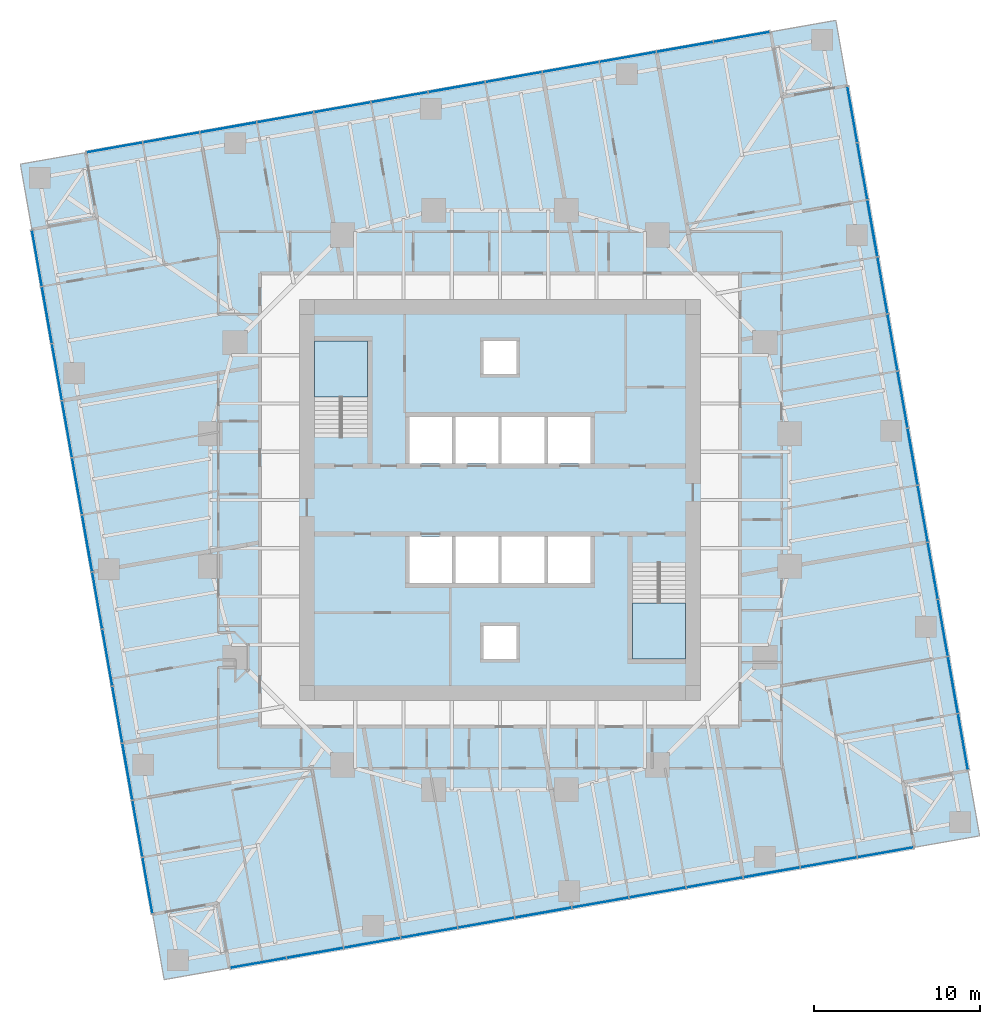
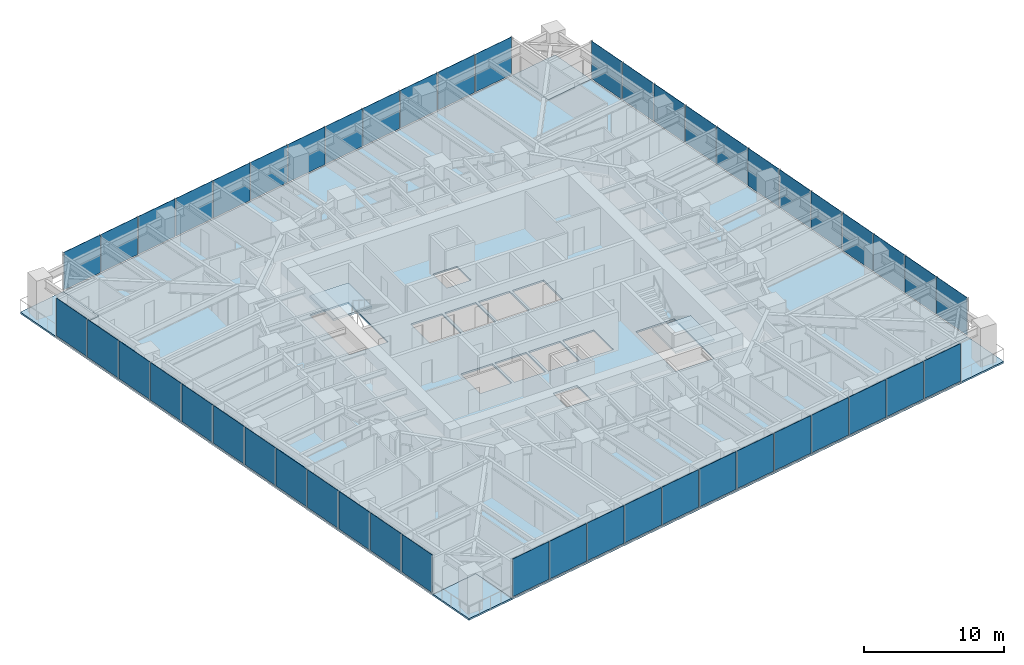
# One storey, part 7 of 14: 48 plates, 7 slabs, 6 elements without a shape of their own.
"""IFC4 building model written with IfcOpenShell, lengths in metres."""

import ifcopenshell
import ifcopenshell.guid

model = None  # the IFC model being written
_history = None  # IfcOwnerHistory: only IFC2X3 demands one
_inside = {}  # id of a spatial element -> (the spatial element, [elements in it])
_under = {}  # id of a project, library or spatial element -> (it, [spatial elements below it])
_declared = {}  # id of a project -> (the project, [libraries it declares])
_typed = {}  # id of a type object -> (the type object, [elements of that type])
_made_of = {}  # id of a material, layer set ... -> (it, [elements and type objects made of it])


def new_model(schema):
    """Start an empty IFC model of exactly this schema.

    Asked for "IFC4X3", IfcOpenShell would pick the latest addendum, in which some entities
    have other attributes; the version numbers below select the first issue.
    IFC2X3 requires an IfcOwnerHistory on every rooted entity: one is made here for all.
    """
    global model, _history
    if schema == "IFC4X3":
        model = ifcopenshell.file(schema_version=(4, 3, 0, 0))
    else:
        model = ifcopenshell.file(schema=schema)
    _inside.clear()
    _under.clear()
    _declared.clear()
    _typed.clear()
    _made_of.clear()
    _history = None
    if model.schema == "IFC2X3":
        org = make("IfcOrganization", Name="unknown")
        user = make(
            "IfcPersonAndOrganization",
            ThePerson=make("IfcPerson", FamilyName="unknown"),
            TheOrganization=org,
        )
        app = make(
            "IfcApplication",
            ApplicationDeveloper=org,
            Version="unknown",
            ApplicationFullName="unknown",
            ApplicationIdentifier="unknown",
        )
        _history = make(
            "IfcOwnerHistory",
            OwningUser=user,
            OwningApplication=app,
            ChangeAction="ADDED",
            CreationDate=0,
        )
    return model


def make(cls, **values):
    """One entity of the class cls with the attributes given. An attribute that is None is left unset."""
    return model.create_entity(
        cls, **{name: value for name, value in values.items() if value is not None}
    )


def rooted(cls, **values):
    """An entity with a GlobalId (a new one), such as an element, a storey or a relation."""
    return make(cls, GlobalId=ifcopenshell.guid.new(), OwnerHistory=_history, **values)


def si_unit(unit_type, name, prefix=None):
    """IfcSIUnit, for example si_unit("LENGTHUNIT", "METRE", prefix="MILLI")."""
    return make("IfcSIUnit", UnitType=unit_type, Prefix=prefix, Name=name)


def assignment(units):
    """IfcUnitAssignment: the units of a project."""
    return None if units is None else make("IfcUnitAssignment", Units=units)


def point(xyz):
    """IfcCartesianPoint."""
    return None if xyz is None else make("IfcCartesianPoint", Coordinates=xyz)


def direction(xyz):
    """IfcDirection."""
    return None if xyz is None else make("IfcDirection", DirectionRatios=xyz)


def frame(location, z_axis=None, x_axis=None):
    """IfcAxis2Placement3D, a coordinate frame: its origin and axes. An axis left out is left unset."""
    return make(
        "IfcAxis2Placement3D",
        Location=point(location),
        Axis=direction(z_axis),
        RefDirection=direction(x_axis),
    )


def frame_2d(location, x_axis=None):
    """IfcAxis2Placement2D, a coordinate frame in the plane: its origin and x axis."""
    return make(
        "IfcAxis2Placement2D", Location=point(location), RefDirection=direction(x_axis)
    )


def origin():
    """The frame at (0, 0, 0) with its axes left unset."""
    return frame((0.0, 0.0, 0.0))


def origin_2d():
    """The frame at (0, 0) in the plane with its x axis left unset."""
    return frame_2d((0.0, 0.0))


def place(relative_to, where):
    """IfcLocalPlacement: puts the frame where relative to a parent placement (None: the world)."""
    return make(
        "IfcLocalPlacement", PlacementRelTo=relative_to, RelativePlacement=where
    )


def context(
    kind, dimensions, precision=None, world=None, true_north=None, identifier=None
):
    """IfcGeometricRepresentationContext, for example the 3D "Model" context."""
    return make(
        "IfcGeometricRepresentationContext",
        ContextIdentifier=identifier,
        ContextType=kind,
        CoordinateSpaceDimension=dimensions,
        Precision=precision,
        WorldCoordinateSystem=world,
        TrueNorth=true_north,
    )


def subcontext(parent, identifier, kind, view, scale=None):
    """IfcGeometricRepresentationSubContext, for example "Body" below "Model"."""
    return make(
        "IfcGeometricRepresentationSubContext",
        ContextIdentifier=identifier,
        ContextType=kind,
        ParentContext=parent,
        TargetScale=scale,
        TargetView=view,
    )


def project(units=None, contexts=None):
    """IfcProject with its units and contexts."""
    return rooted(
        "IfcProject",
        Name="project",
        RepresentationContexts=contexts,
        UnitsInContext=assignment(units),
    )


def spatial(cls, under=None, at=None, **own):
    """A site, building, storey or space (cls), placed at a placement, below another one or the project."""
    s = rooted(cls, ObjectPlacement=at, **own)
    if under is not None:
        _under.setdefault(under.id(), (under, []))[1].append(s)
    return s


def polyline(points):
    """IfcPolyline through the points."""
    return make("IfcPolyline", Points=[point(p) for p in points])


def profile(cls, at=None, kind="AREA", **sizes):
    """A parametric profile (cls). Its sizes go by their IFC names, for example OverallWidth=200.0."""
    return make(cls, ProfileType=kind, Position=at, **sizes)


def rectangle(**sizes):
    """IfcRectangleProfileDef."""
    return profile("IfcRectangleProfileDef", **sizes)


def outline(outer, holes=None, kind="AREA"):
    """IfcArbitraryClosedProfileDef: a profile drawn as a closed curve; with holes, ...WithVoids."""
    if holes is None:
        return make("IfcArbitraryClosedProfileDef", ProfileType=kind, OuterCurve=outer)
    return make(
        "IfcArbitraryProfileDefWithVoids",
        ProfileType=kind,
        OuterCurve=outer,
        InnerCurves=holes,
    )


def extrude(swept, where, along, depth):
    """IfcExtrudedAreaSolid: the profile swept, set in the frame where, extruded along a direction by depth."""
    return make(
        "IfcExtrudedAreaSolid",
        SweptArea=swept,
        Position=where,
        ExtrudedDirection=direction(along),
        Depth=depth,
    )


def shape(context_of_items, identifier, shape_type, items):
    """IfcShapeRepresentation: the items that make up one representation, for example the "Body"."""
    return make(
        "IfcShapeRepresentation",
        ContextOfItems=context_of_items,
        RepresentationIdentifier=identifier,
        RepresentationType=shape_type,
        Items=items,
    )


def material(Name=None, Category=None):
    """IfcMaterial."""
    return make("IfcMaterial", Name=Name, Category=Category)


def layer(
    of_material, thickness, ventilated=None, Name=None, Category=None, Priority=None
):
    """IfcMaterialLayer: one layer of a wall or slab, of a material (None: an air gap)."""
    return make(
        "IfcMaterialLayer",
        Material=of_material,
        LayerThickness=thickness,
        IsVentilated=ventilated,
        Name=Name,
        Category=Category,
        Priority=Priority,
    )


def layer_set(layers, Name=None):
    """IfcMaterialLayerSet."""
    return make("IfcMaterialLayerSet", MaterialLayers=layers, LayerSetName=Name)


def made_of(thing, what):
    """Note that an element or type object is made of a material, layer set ...; save() writes the relation."""
    if what is not None:
        _made_of.setdefault(what.id(), (what, []))[1].append(thing)
    return thing


def type_object(cls, material=None, **own):
    """A type object (cls), such as IfcWallType, which elements share."""
    return made_of(rooted(cls, **own), material)


def element(
    cls,
    number,
    at=None,
    inside=None,
    cuts=None,
    type_object=None,
    material=None,
    context=None,
    identifier="Body",
    shape_type=None,
    held_by="IfcProductDefinitionShape",
    body=None,
    shapes=None,
    **own,
):
    """One element of the class cls, such as IfcWall. Its Tag is "e" and its number.

    at: its placement. inside: the storey or other place that contains it. cuts: it is an
    opening in that element (IfcRelVoidsElement). A single representation is given by context,
    identifier, shape_type and body (its items); several are given by shapes. held_by: the class
    of the entity that holds the representations. save() writes the other relations.
    """
    e = rooted(cls, Tag="e%d" % number, ObjectPlacement=at, **own)
    if body is not None:
        shapes = [shape(context, identifier, shape_type, body)]
    if shapes is not None:
        e.Representation = make(held_by, Representations=shapes)
    if inside is not None:
        _inside.setdefault(inside.id(), (inside, []))[1].append(e)
    if cuts is not None:
        rooted(
            "IfcRelVoidsElement", RelatingBuildingElement=cuts, RelatedOpeningElement=e
        )
    if type_object is not None:
        _typed.setdefault(type_object.id(), (type_object, []))[1].append(e)
    return made_of(e, material)


def aggregate(whole, parts):
    """IfcRelAggregates: a whole, such as a stair, and the parts it consists of."""
    return rooted("IfcRelAggregates", RelatingObject=whole, RelatedObjects=parts)


def save(model, path):
    """Write the relations noted so far, then the file.

    IfcRelAggregates (storeys below a building ...), IfcRelContainedInSpatialStructure (elements
    in a storey), IfcRelDefinesByType, IfcRelAssociatesMaterial and IfcRelDeclares: one each for
    every whole, place, type object, material and project.
    """
    for whole, parts in _under.values():
        aggregate(whole, parts)
    for where, things in _inside.values():
        rooted(
            "IfcRelContainedInSpatialStructure",
            RelatedElements=things,
            RelatingStructure=where,
        )
    for kind, things in _typed.values():
        rooted("IfcRelDefinesByType", RelatedObjects=things, RelatingType=kind)
    for what, things in _made_of.values():
        rooted("IfcRelAssociatesMaterial", RelatedObjects=things, RelatingMaterial=what)
    for by, libraries in _declared.values():
        rooted("IfcRelDeclares", RelatingContext=by, RelatedDefinitions=libraries)
    model.write(path)


model = new_model("IFC4")

# Units and contexts
model_context = context("Model", 3, precision=1e-05, world=origin(), true_north=direction((0.0, 1.0)))
body_context = subcontext(model_context, "Body", "Model", "MODEL_VIEW")
ifc_project = project(units=[si_unit("LENGTHUNIT", "METRE"), si_unit("AREAUNIT", "SQUARE_METRE"), si_unit("VOLUMEUNIT", "CUBIC_METRE"), si_unit("PLANEANGLEUNIT", "RADIAN"), si_unit("MASSUNIT", "GRAM", prefix="KILO")], contexts=[model_context])

# Site, building, storey
site_placement = place(None, origin())
site = spatial("IfcSite", under=ifc_project, at=site_placement, CompositionType="ELEMENT")
building_placement = place(site_placement, origin())
building = spatial("IfcBuilding", under=site, at=building_placement, Name="Torsade Residences", CompositionType="ELEMENT")
storey_placement = place(building_placement, frame((0.0, 0.0, 93.0)))
storey = spatial("IfcBuildingStorey", under=building, at=storey_placement, Name="L25", CompositionType="ELEMENT", Elevation=93.0)

# Slab
ifc_material_1 = material(Name="Concrete 40 MPa", Category="concrete")
ifc_layer_1 = layer(ifc_material_1, 0.14990234375)
ifc_layer_set_1 = layer_set([ifc_layer_1], Name="Concrete 40 MPa")
slab_type_1 = type_object("IfcSlabType", Name="COMPOSITE FLOOR SLAB 150", PredefinedType="FLOOR", material=ifc_layer_set_1)
slab_1_placement = place(storey_placement, frame((0.0, 0.0, -0.14990234375)))
element("IfcSlab", 1, at=slab_1_placement, inside=storey, type_object=slab_type_1, Name="Floor slab L25", PredefinedType="FLOOR", context=body_context, shape_type="SweptSolid", body=[
    extrude(outline(polyline([(23.66015625, 1.733154296875), (65.022216796875, 9.0263671875), (64.32763671875, 12.965576171875), (68.266845703125, 13.66015625), (60.9736328125, 55.022216796875), (57.034423828125, 54.32763671875), (56.33984375, 58.266845703125), (14.977783203125, 50.9736328125), (15.67236328125, 47.034423828125), (11.733154296875, 46.33984375), (19.0263671875, 4.977783203125), (22.965576171875, 5.67236328125), (23.66015625, 1.733154296875)]), holes=[polyline([(51.199951171875, 20.39990234375), (51.199951171875, 26.1201171875), (48.0, 26.1201171875), (48.0, 20.39990234375), (51.199951171875, 20.39990234375)]), polyline([(45.5, 27.800048828125), (42.89990234375, 27.800048828125), (42.89990234375, 25.0), (45.5, 25.0), (45.5, 27.800048828125)]), polyline([(45.5, 32.199951171875), (45.5, 35.0), (42.89990234375, 35.0), (42.89990234375, 32.199951171875), (45.5, 32.199951171875)]), polyline([(42.699951171875, 25.0), (42.699951171875, 27.800048828125), (40.10009765625, 27.800048828125), (40.10009765625, 25.0), (42.699951171875, 25.0)]), polyline([(42.699951171875, 32.199951171875), (42.699951171875, 35.0), (40.10009765625, 35.0), (40.10009765625, 32.199951171875), (42.699951171875, 32.199951171875)]), polyline([(41.0, 22.39990234375), (39.0, 22.39990234375), (39.0, 20.39990234375), (41.0, 20.39990234375), (41.0, 22.39990234375)]), polyline([(41.0, 37.60009765625), (41.0, 39.60009765625), (39.0, 39.60009765625), (39.0, 37.60009765625), (41.0, 37.60009765625)]), polyline([(39.89990234375, 25.0), (39.89990234375, 27.800048828125), (37.300048828125, 27.800048828125), (37.300048828125, 25.0), (39.89990234375, 25.0)]), polyline([(39.89990234375, 35.0), (37.300048828125, 35.0), (37.300048828125, 32.199951171875), (39.89990234375, 32.199951171875), (39.89990234375, 35.0)]), polyline([(37.10009765625, 27.800048828125), (34.5, 27.800048828125), (34.5, 25.0), (37.10009765625, 25.0), (37.10009765625, 27.800048828125)]), polyline([(37.10009765625, 32.199951171875), (37.10009765625, 35.0), (34.5, 35.0), (34.5, 32.199951171875), (37.10009765625, 32.199951171875)]), polyline([(32.0, 33.8798828125), (32.0, 39.60009765625), (28.800048828125, 39.60009765625), (28.800048828125, 33.8798828125), (32.0, 33.8798828125)])]), origin(), (0.0, 0.0, 1.0), 0.14990234375),
])

# Curtain wall, plates
ifc_material_2 = material(Name="Aluminium and glass", Category="aluminium")
curtain_wall_type = type_object("IfcCurtainWallType", Name="FRITTED GLASS CURTAIN WALL LOW ZONE", PredefinedType="NOTDEFINED", material=ifc_material_2)
curtain_wall_1_placement = place(storey_placement, origin())
curtain_wall_1 = element("IfcCurtainWall", 2, at=curtain_wall_1_placement, inside=storey, type_object=curtain_wall_type, Name="Curtain wall L25 face 1", PredefinedType="NOTDEFINED")
ifc_material_3 = material(Name="Laminated glass", Category="glass")
ifc_layer_2 = layer(ifc_material_3, 0.031982421875)
ifc_layer_set_2 = layer_set([ifc_layer_2], Name="Laminated glass")
plate_type_1 = type_object("IfcPlateType", Name="FRITTED GLASS PANEL", PredefinedType="CURTAIN_PANEL", material=ifc_layer_set_2)
plate_1_placement = place(storey_placement, frame((25.399658203125, 2.039794921875, 0.10009765625), z_axis=(0.0, 0.0, 1.0), x_axis=(0.984807750372, 0.173648192638, 0.0)))
plate_1 = element("IfcPlate", 3, at=plate_1_placement, type_object=plate_type_1, Name="Panel 1", PredefinedType="CURTAIN_PANEL", context=body_context, shape_type="SweptSolid", body=[
    extrude(rectangle(XDim=3.402587890625, YDim=0.031982421875, at=origin_2d()), origin(), (0.0, 0.0, 1.0), 3.300048828125),
])
plate_2_placement = place(storey_placement, frame((32.27734375, 3.252685546875, 0.10009765625), z_axis=(0.0, 0.0, 1.0), x_axis=(0.984807750372, 0.173648192638, 0.0)))
plate_2 = element("IfcPlate", 4, at=plate_2_placement, type_object=plate_type_1, Name="Panel 3", PredefinedType="CURTAIN_PANEL", context=body_context, shape_type="SweptSolid", body=[
    extrude(rectangle(XDim=3.43505859375, YDim=0.031982421875, at=origin_2d()), origin(), (0.0, 0.0, 1.0), 3.300048828125),
])
plate_3_placement = place(storey_placement, frame((35.72412109375, 3.8603515625, 0.10009765625), z_axis=(0.0, 0.0, 1.0), x_axis=(0.984807750372, 0.173648192638, 0.0)))
plate_3 = element("IfcPlate", 5, at=plate_3_placement, type_object=plate_type_1, Name="Panel 4", PredefinedType="CURTAIN_PANEL", context=body_context, shape_type="SweptSolid", body=[
    extrude(rectangle(XDim=3.43505859375, YDim=0.031982421875, at=origin_2d()), origin(), (0.0, 0.0, 1.0), 3.300048828125),
])
plate_4_placement = place(storey_placement, frame((39.1708984375, 4.46826171875, 0.10009765625), z_axis=(0.0, 0.0, 1.0), x_axis=(0.984807750372, 0.173648192638, 0.0)))
plate_4 = element("IfcPlate", 6, at=plate_4_placement, type_object=plate_type_1, Name="Panel 5", PredefinedType="CURTAIN_PANEL", context=body_context, shape_type="SweptSolid", body=[
    extrude(rectangle(XDim=3.43505859375, YDim=0.031982421875, at=origin_2d()), origin(), (0.0, 0.0, 1.0), 3.300048828125),
])
plate_5_placement = place(storey_placement, frame((46.064697265625, 5.68359375, 0.10009765625), z_axis=(0.0, 0.0, 1.0), x_axis=(0.984807750372, 0.173648192638, 0.0)))
plate_5 = element("IfcPlate", 7, at=plate_5_placement, type_object=plate_type_1, Name="Panel 7", PredefinedType="CURTAIN_PANEL", context=body_context, shape_type="SweptSolid", body=[
    extrude(rectangle(XDim=3.43505859375, YDim=0.031982421875, at=origin_2d()), origin(), (0.0, 0.0, 1.0), 3.300048828125),
])
plate_6_placement = place(storey_placement, frame((49.511474609375, 6.29150390625, 0.10009765625), z_axis=(0.0, 0.0, 1.0), x_axis=(0.984807750372, 0.173648192638, 0.0)))
plate_6 = element("IfcPlate", 8, at=plate_6_placement, type_object=plate_type_1, Name="Panel 8", PredefinedType="CURTAIN_PANEL", context=body_context, shape_type="SweptSolid", body=[
    extrude(rectangle(XDim=3.43505859375, YDim=0.031982421875, at=origin_2d()), origin(), (0.0, 0.0, 1.0), 3.300048828125),
])
plate_7_placement = place(storey_placement, frame((52.958251953125, 6.899169921875, 0.10009765625), z_axis=(0.0, 0.0, 1.0), x_axis=(0.984807750372, 0.173648192638, 0.0)))
plate_7 = element("IfcPlate", 9, at=plate_7_placement, type_object=plate_type_1, Name="Panel 9", PredefinedType="CURTAIN_PANEL", context=body_context, shape_type="SweptSolid", body=[
    extrude(rectangle(XDim=3.43505859375, YDim=0.031982421875, at=origin_2d()), origin(), (0.0, 0.0, 1.0), 3.300048828125),
])
plate_8_placement = place(storey_placement, frame((59.851806640625, 8.11474609375, 0.10009765625), z_axis=(0.0, 0.0, 1.0), x_axis=(0.984807750372, 0.173648192638, 0.0)))
plate_8 = element("IfcPlate", 10, at=plate_8_placement, type_object=plate_type_1, Name="Panel 11", PredefinedType="CURTAIN_PANEL", context=body_context, shape_type="SweptSolid", body=[
    extrude(rectangle(XDim=3.43505859375, YDim=0.031982421875, at=origin_2d()), origin(), (0.0, 0.0, 1.0), 3.300048828125),
])
plate_9_placement = place(storey_placement, frame((63.28271484375, 8.7197265625, 0.10009765625), z_axis=(0.0, 0.0, 1.0), x_axis=(0.984807750372, 0.173648192638, 0.0)))
plate_9 = element("IfcPlate", 11, at=plate_9_placement, type_object=plate_type_1, Name="Panel 12", PredefinedType="CURTAIN_PANEL", context=body_context, shape_type="SweptSolid", body=[
    extrude(rectangle(XDim=3.402587890625, YDim=0.031982421875, at=origin_2d()), origin(), (0.0, 0.0, 1.0), 3.300048828125),
])

curtain_wall_2_placement = place(storey_placement, origin())
curtain_wall_2 = element("IfcCurtainWall", 12, at=curtain_wall_2_placement, inside=storey, type_object=curtain_wall_type, Name="Curtain wall L25 face 4", PredefinedType="NOTDEFINED")
plate_10_placement = place(storey_placement, frame((67.960205078125, 15.399658203125, 0.10009765625), z_axis=(0.0, 0.0, 1.0), x_axis=(-0.173648192638, 0.984807750372, 0.0)))
plate_10 = element("IfcPlate", 13, at=plate_10_placement, type_object=plate_type_1, Name="Panel 1", PredefinedType="CURTAIN_PANEL", context=body_context, shape_type="SweptSolid", body=[
    extrude(rectangle(XDim=3.402587890625, YDim=0.031982421875, at=origin_2d()), origin(), (0.0, 0.0, 1.0), 3.300048828125),
])
plate_11_placement = place(storey_placement, frame((66.747314453125, 22.27734375, 0.10009765625), z_axis=(0.0, 0.0, 1.0), x_axis=(-0.173648192638, 0.984807750372, 0.0)))
plate_11 = element("IfcPlate", 14, at=plate_11_placement, type_object=plate_type_1, Name="Panel 3", PredefinedType="CURTAIN_PANEL", context=body_context, shape_type="SweptSolid", body=[
    extrude(rectangle(XDim=3.43505859375, YDim=0.031982421875, at=origin_2d()), origin(), (0.0, 0.0, 1.0), 3.300048828125),
])
plate_12_placement = place(storey_placement, frame((66.1396484375, 25.72412109375, 0.10009765625), z_axis=(0.0, 0.0, 1.0), x_axis=(-0.173648192638, 0.984807750372, 0.0)))
plate_12 = element("IfcPlate", 15, at=plate_12_placement, type_object=plate_type_1, Name="Panel 4", PredefinedType="CURTAIN_PANEL", context=body_context, shape_type="SweptSolid", body=[
    extrude(rectangle(XDim=3.43505859375, YDim=0.031982421875, at=origin_2d()), origin(), (0.0, 0.0, 1.0), 3.300048828125),
])
plate_13_placement = place(storey_placement, frame((65.53173828125, 29.1708984375, 0.10009765625), z_axis=(0.0, 0.0, 1.0), x_axis=(-0.173648192638, 0.984807750372, 0.0)))
plate_13 = element("IfcPlate", 16, at=plate_13_placement, type_object=plate_type_1, Name="Panel 5", PredefinedType="CURTAIN_PANEL", context=body_context, shape_type="SweptSolid", body=[
    extrude(rectangle(XDim=3.43505859375, YDim=0.031982421875, at=origin_2d()), origin(), (0.0, 0.0, 1.0), 3.300048828125),
])
plate_14_placement = place(storey_placement, frame((64.31640625, 36.064697265625, 0.10009765625), z_axis=(0.0, 0.0, 1.0), x_axis=(-0.173648192638, 0.984807750372, 0.0)))
plate_14 = element("IfcPlate", 17, at=plate_14_placement, type_object=plate_type_1, Name="Panel 7", PredefinedType="CURTAIN_PANEL", context=body_context, shape_type="SweptSolid", body=[
    extrude(rectangle(XDim=3.43505859375, YDim=0.031982421875, at=origin_2d()), origin(), (0.0, 0.0, 1.0), 3.300048828125),
])
plate_15_placement = place(storey_placement, frame((63.70849609375, 39.511474609375, 0.10009765625), z_axis=(0.0, 0.0, 1.0), x_axis=(-0.173648192638, 0.984807750372, 0.0)))
plate_15 = element("IfcPlate", 18, at=plate_15_placement, type_object=plate_type_1, Name="Panel 8", PredefinedType="CURTAIN_PANEL", context=body_context, shape_type="SweptSolid", body=[
    extrude(rectangle(XDim=3.43505859375, YDim=0.031982421875, at=origin_2d()), origin(), (0.0, 0.0, 1.0), 3.300048828125),
])
plate_16_placement = place(storey_placement, frame((63.100830078125, 42.958251953125, 0.10009765625), z_axis=(0.0, 0.0, 1.0), x_axis=(-0.173648192638, 0.984807750372, 0.0)))
plate_16 = element("IfcPlate", 19, at=plate_16_placement, type_object=plate_type_1, Name="Panel 9", PredefinedType="CURTAIN_PANEL", context=body_context, shape_type="SweptSolid", body=[
    extrude(rectangle(XDim=3.43505859375, YDim=0.031982421875, at=origin_2d()), origin(), (0.0, 0.0, 1.0), 3.300048828125),
])
plate_17_placement = place(storey_placement, frame((61.88525390625, 49.851806640625, 0.10009765625), z_axis=(0.0, 0.0, 1.0), x_axis=(-0.173648192638, 0.984807750372, 0.0)))
plate_17 = element("IfcPlate", 20, at=plate_17_placement, type_object=plate_type_1, Name="Panel 11", PredefinedType="CURTAIN_PANEL", context=body_context, shape_type="SweptSolid", body=[
    extrude(rectangle(XDim=3.43505859375, YDim=0.031982421875, at=origin_2d()), origin(), (0.0, 0.0, 1.0), 3.300048828125),
])
plate_18_placement = place(storey_placement, frame((61.2802734375, 53.28271484375, 0.10009765625), z_axis=(0.0, 0.0, 1.0), x_axis=(-0.173648192638, 0.984807750372, 0.0)))
plate_18 = element("IfcPlate", 21, at=plate_18_placement, type_object=plate_type_1, Name="Panel 12", PredefinedType="CURTAIN_PANEL", context=body_context, shape_type="SweptSolid", body=[
    extrude(rectangle(XDim=3.402587890625, YDim=0.031982421875, at=origin_2d()), origin(), (0.0, 0.0, 1.0), 3.300048828125),
])

curtain_wall_3_placement = place(storey_placement, origin())
curtain_wall_3 = element("IfcCurtainWall", 22, at=curtain_wall_3_placement, inside=storey, type_object=curtain_wall_type, Name="Curtain wall L25 face 7", PredefinedType="NOTDEFINED")
plate_19_placement = place(storey_placement, frame((54.600341796875, 57.960205078125, 0.10009765625), z_axis=(0.0, 0.0, 1.0), x_axis=(-0.984807750372, -0.173648192638, 0.0)))
plate_19 = element("IfcPlate", 23, at=plate_19_placement, type_object=plate_type_1, Name="Panel 1", PredefinedType="CURTAIN_PANEL", context=body_context, shape_type="SweptSolid", body=[
    extrude(rectangle(XDim=3.402587890625, YDim=0.031982421875, at=origin_2d()), origin(), (0.0, 0.0, 1.0), 3.300048828125),
])
plate_20_placement = place(storey_placement, frame((47.72265625, 56.747314453125, 0.10009765625), z_axis=(0.0, 0.0, 1.0), x_axis=(-0.984807750372, -0.173648192638, 0.0)))
plate_20 = element("IfcPlate", 24, at=plate_20_placement, type_object=plate_type_1, Name="Panel 3", PredefinedType="CURTAIN_PANEL", context=body_context, shape_type="SweptSolid", body=[
    extrude(rectangle(XDim=3.43505859375, YDim=0.031982421875, at=origin_2d()), origin(), (0.0, 0.0, 1.0), 3.300048828125),
])
plate_21_placement = place(storey_placement, frame((44.27587890625, 56.1396484375, 0.10009765625), z_axis=(0.0, 0.0, 1.0), x_axis=(-0.984807750372, -0.173648192638, 0.0)))
plate_21 = element("IfcPlate", 25, at=plate_21_placement, type_object=plate_type_1, Name="Panel 4", PredefinedType="CURTAIN_PANEL", context=body_context, shape_type="SweptSolid", body=[
    extrude(rectangle(XDim=3.43505859375, YDim=0.031982421875, at=origin_2d()), origin(), (0.0, 0.0, 1.0), 3.300048828125),
])
plate_22_placement = place(storey_placement, frame((40.8291015625, 55.53173828125, 0.10009765625), z_axis=(0.0, 0.0, 1.0), x_axis=(-0.984807750372, -0.173648192638, 0.0)))
plate_22 = element("IfcPlate", 26, at=plate_22_placement, type_object=plate_type_1, Name="Panel 5", PredefinedType="CURTAIN_PANEL", context=body_context, shape_type="SweptSolid", body=[
    extrude(rectangle(XDim=3.43505859375, YDim=0.031982421875, at=origin_2d()), origin(), (0.0, 0.0, 1.0), 3.300048828125),
])
plate_23_placement = place(storey_placement, frame((33.935302734375, 54.31640625, 0.10009765625), z_axis=(0.0, 0.0, 1.0), x_axis=(-0.984807750372, -0.173648192638, 0.0)))
plate_23 = element("IfcPlate", 27, at=plate_23_placement, type_object=plate_type_1, Name="Panel 7", PredefinedType="CURTAIN_PANEL", context=body_context, shape_type="SweptSolid", body=[
    extrude(rectangle(XDim=3.43505859375, YDim=0.031982421875, at=origin_2d()), origin(), (0.0, 0.0, 1.0), 3.300048828125),
])
plate_24_placement = place(storey_placement, frame((30.488525390625, 53.70849609375, 0.10009765625), z_axis=(0.0, 0.0, 1.0), x_axis=(-0.984807750372, -0.173648192638, 0.0)))
plate_24 = element("IfcPlate", 28, at=plate_24_placement, type_object=plate_type_1, Name="Panel 8", PredefinedType="CURTAIN_PANEL", context=body_context, shape_type="SweptSolid", body=[
    extrude(rectangle(XDim=3.43505859375, YDim=0.031982421875, at=origin_2d()), origin(), (0.0, 0.0, 1.0), 3.300048828125),
])
plate_25_placement = place(storey_placement, frame((27.041748046875, 53.100830078125, 0.10009765625), z_axis=(0.0, 0.0, 1.0), x_axis=(-0.984807750372, -0.173648192638, 0.0)))
plate_25 = element("IfcPlate", 29, at=plate_25_placement, type_object=plate_type_1, Name="Panel 9", PredefinedType="CURTAIN_PANEL", context=body_context, shape_type="SweptSolid", body=[
    extrude(rectangle(XDim=3.43505859375, YDim=0.031982421875, at=origin_2d()), origin(), (0.0, 0.0, 1.0), 3.300048828125),
])
plate_26_placement = place(storey_placement, frame((20.148193359375, 51.88525390625, 0.10009765625), z_axis=(0.0, 0.0, 1.0), x_axis=(-0.984807750372, -0.173648192638, 0.0)))
plate_26 = element("IfcPlate", 30, at=plate_26_placement, type_object=plate_type_1, Name="Panel 11", PredefinedType="CURTAIN_PANEL", context=body_context, shape_type="SweptSolid", body=[
    extrude(rectangle(XDim=3.43505859375, YDim=0.031982421875, at=origin_2d()), origin(), (0.0, 0.0, 1.0), 3.300048828125),
])
plate_27_placement = place(storey_placement, frame((16.71728515625, 51.2802734375, 0.10009765625), z_axis=(0.0, 0.0, 1.0), x_axis=(-0.984807750372, -0.173648192638, 0.0)))
plate_27 = element("IfcPlate", 31, at=plate_27_placement, type_object=plate_type_1, Name="Panel 12", PredefinedType="CURTAIN_PANEL", context=body_context, shape_type="SweptSolid", body=[
    extrude(rectangle(XDim=3.402587890625, YDim=0.031982421875, at=origin_2d()), origin(), (0.0, 0.0, 1.0), 3.300048828125),
])

curtain_wall_4_placement = place(storey_placement, origin())
curtain_wall_4 = element("IfcCurtainWall", 32, at=curtain_wall_4_placement, inside=storey, type_object=curtain_wall_type, Name="Curtain wall L25 face 10", PredefinedType="NOTDEFINED")
plate_28_placement = place(storey_placement, frame((12.039794921875, 44.600341796875, 0.10009765625), z_axis=(0.0, 0.0, 1.0), x_axis=(0.173648192638, -0.984807750372, 0.0)))
plate_28 = element("IfcPlate", 33, at=plate_28_placement, type_object=plate_type_1, Name="Panel 1", PredefinedType="CURTAIN_PANEL", context=body_context, shape_type="SweptSolid", body=[
    extrude(rectangle(XDim=3.402587890625, YDim=0.031982421875, at=origin_2d()), origin(), (0.0, 0.0, 1.0), 3.300048828125),
])
plate_29_placement = place(storey_placement, frame((13.252685546875, 37.72265625, 0.10009765625), z_axis=(0.0, 0.0, 1.0), x_axis=(0.173648192638, -0.984807750372, 0.0)))
plate_29 = element("IfcPlate", 34, at=plate_29_placement, type_object=plate_type_1, Name="Panel 3", PredefinedType="CURTAIN_PANEL", context=body_context, shape_type="SweptSolid", body=[
    extrude(rectangle(XDim=3.43505859375, YDim=0.031982421875, at=origin_2d()), origin(), (0.0, 0.0, 1.0), 3.300048828125),
])
plate_30_placement = place(storey_placement, frame((13.8603515625, 34.27587890625, 0.10009765625), z_axis=(0.0, 0.0, 1.0), x_axis=(0.173648192638, -0.984807750372, 0.0)))
plate_30 = element("IfcPlate", 35, at=plate_30_placement, type_object=plate_type_1, Name="Panel 4", PredefinedType="CURTAIN_PANEL", context=body_context, shape_type="SweptSolid", body=[
    extrude(rectangle(XDim=3.43505859375, YDim=0.031982421875, at=origin_2d()), origin(), (0.0, 0.0, 1.0), 3.300048828125),
])
plate_31_placement = place(storey_placement, frame((14.46826171875, 30.8291015625, 0.10009765625), z_axis=(0.0, 0.0, 1.0), x_axis=(0.173648192638, -0.984807750372, 0.0)))
plate_31 = element("IfcPlate", 36, at=plate_31_placement, type_object=plate_type_1, Name="Panel 5", PredefinedType="CURTAIN_PANEL", context=body_context, shape_type="SweptSolid", body=[
    extrude(rectangle(XDim=3.43505859375, YDim=0.031982421875, at=origin_2d()), origin(), (0.0, 0.0, 1.0), 3.300048828125),
])
plate_32_placement = place(storey_placement, frame((15.68359375, 23.935302734375, 0.10009765625), z_axis=(0.0, 0.0, 1.0), x_axis=(0.173648192638, -0.984807750372, 0.0)))
plate_32 = element("IfcPlate", 37, at=plate_32_placement, type_object=plate_type_1, Name="Panel 7", PredefinedType="CURTAIN_PANEL", context=body_context, shape_type="SweptSolid", body=[
    extrude(rectangle(XDim=3.43505859375, YDim=0.031982421875, at=origin_2d()), origin(), (0.0, 0.0, 1.0), 3.300048828125),
])
plate_33_placement = place(storey_placement, frame((16.29150390625, 20.488525390625, 0.10009765625), z_axis=(0.0, 0.0, 1.0), x_axis=(0.173648192638, -0.984807750372, 0.0)))
plate_33 = element("IfcPlate", 38, at=plate_33_placement, type_object=plate_type_1, Name="Panel 8", PredefinedType="CURTAIN_PANEL", context=body_context, shape_type="SweptSolid", body=[
    extrude(rectangle(XDim=3.43505859375, YDim=0.031982421875, at=origin_2d()), origin(), (0.0, 0.0, 1.0), 3.300048828125),
])
plate_34_placement = place(storey_placement, frame((16.899169921875, 17.041748046875, 0.10009765625), z_axis=(0.0, 0.0, 1.0), x_axis=(0.173648192638, -0.984807750372, 0.0)))
plate_34 = element("IfcPlate", 39, at=plate_34_placement, type_object=plate_type_1, Name="Panel 9", PredefinedType="CURTAIN_PANEL", context=body_context, shape_type="SweptSolid", body=[
    extrude(rectangle(XDim=3.43505859375, YDim=0.031982421875, at=origin_2d()), origin(), (0.0, 0.0, 1.0), 3.300048828125),
])
plate_35_placement = place(storey_placement, frame((18.11474609375, 10.148193359375, 0.10009765625), z_axis=(0.0, 0.0, 1.0), x_axis=(0.173648192638, -0.984807750372, 0.0)))
plate_35 = element("IfcPlate", 40, at=plate_35_placement, type_object=plate_type_1, Name="Panel 11", PredefinedType="CURTAIN_PANEL", context=body_context, shape_type="SweptSolid", body=[
    extrude(rectangle(XDim=3.43505859375, YDim=0.031982421875, at=origin_2d()), origin(), (0.0, 0.0, 1.0), 3.300048828125),
])
plate_36_placement = place(storey_placement, frame((18.7197265625, 6.71728515625, 0.10009765625), z_axis=(0.0, 0.0, 1.0), x_axis=(0.173648192638, -0.984807750372, 0.0)))
plate_36 = element("IfcPlate", 41, at=plate_36_placement, type_object=plate_type_1, Name="Panel 12", PredefinedType="CURTAIN_PANEL", context=body_context, shape_type="SweptSolid", body=[
    extrude(rectangle(XDim=3.402587890625, YDim=0.031982421875, at=origin_2d()), origin(), (0.0, 0.0, 1.0), 3.300048828125),
])

# Plate
ifc_material_4 = material(Name="Laminated glass", Category="glass")
ifc_layer_3 = layer(ifc_material_4, 0.0400390625)
ifc_layer_set_3 = layer_set([ifc_layer_3], Name="Laminated glass")
plate_type_2 = type_object("IfcPlateType", Name="OPERABLE VENT PANEL", PredefinedType="CURTAIN_PANEL", material=ifc_layer_set_3)
plate_37_placement = place(storey_placement, frame((28.83056640625, 2.644775390625, 0.10009765625), z_axis=(0.0, 0.0, 1.0), x_axis=(0.984807750372, 0.173648192638, 0.0)))
plate_37 = element("IfcPlate", 42, at=plate_37_placement, type_object=plate_type_2, Name="Panel 2", PredefinedType="CURTAIN_PANEL", context=body_context, shape_type="SweptSolid", body=[
    extrude(rectangle(XDim=3.43505859375, YDim=0.0400390625, at=origin_2d()), origin(), (0.0, 0.0, 1.0), 3.300048828125),
])

plate_38_placement = place(storey_placement, frame((42.61767578125, 5.075927734375, 0.10009765625), z_axis=(0.0, 0.0, 1.0), x_axis=(0.984807750372, 0.173648192638, 0.0)))
plate_38 = element("IfcPlate", 43, at=plate_38_placement, type_object=plate_type_2, Name="Panel 6", PredefinedType="CURTAIN_PANEL", context=body_context, shape_type="SweptSolid", body=[
    extrude(rectangle(XDim=3.43505859375, YDim=0.0400390625, at=origin_2d()), origin(), (0.0, 0.0, 1.0), 3.300048828125),
])

plate_39_placement = place(storey_placement, frame((56.405029296875, 7.507080078125, 0.10009765625), z_axis=(0.0, 0.0, 1.0), x_axis=(0.984807750372, 0.173648192638, 0.0)))
plate_39 = element("IfcPlate", 44, at=plate_39_placement, type_object=plate_type_2, Name="Panel 10", PredefinedType="CURTAIN_PANEL", context=body_context, shape_type="SweptSolid", body=[
    extrude(rectangle(XDim=3.43505859375, YDim=0.0400390625, at=origin_2d()), origin(), (0.0, 0.0, 1.0), 3.300048828125),
])

aggregate(curtain_wall_1, [plate_1, plate_37, plate_2, plate_3, plate_4, plate_38, plate_5, plate_6, plate_7, plate_39, plate_8, plate_9])

plate_40_placement = place(storey_placement, frame((67.355224609375, 18.83056640625, 0.10009765625), z_axis=(0.0, 0.0, 1.0), x_axis=(-0.173648192638, 0.984807750372, 0.0)))
plate_40 = element("IfcPlate", 45, at=plate_40_placement, type_object=plate_type_2, Name="Panel 2", PredefinedType="CURTAIN_PANEL", context=body_context, shape_type="SweptSolid", body=[
    extrude(rectangle(XDim=3.43505859375, YDim=0.0400390625, at=origin_2d()), origin(), (0.0, 0.0, 1.0), 3.300048828125),
])

plate_41_placement = place(storey_placement, frame((64.924072265625, 32.61767578125, 0.10009765625), z_axis=(0.0, 0.0, 1.0), x_axis=(-0.173648192638, 0.984807750372, 0.0)))
plate_41 = element("IfcPlate", 46, at=plate_41_placement, type_object=plate_type_2, Name="Panel 6", PredefinedType="CURTAIN_PANEL", context=body_context, shape_type="SweptSolid", body=[
    extrude(rectangle(XDim=3.43505859375, YDim=0.0400390625, at=origin_2d()), origin(), (0.0, 0.0, 1.0), 3.300048828125),
])

plate_42_placement = place(storey_placement, frame((62.492919921875, 46.405029296875, 0.10009765625), z_axis=(0.0, 0.0, 1.0), x_axis=(-0.173648192638, 0.984807750372, 0.0)))
plate_42 = element("IfcPlate", 47, at=plate_42_placement, type_object=plate_type_2, Name="Panel 10", PredefinedType="CURTAIN_PANEL", context=body_context, shape_type="SweptSolid", body=[
    extrude(rectangle(XDim=3.43505859375, YDim=0.0400390625, at=origin_2d()), origin(), (0.0, 0.0, 1.0), 3.300048828125),
])

aggregate(curtain_wall_2, [plate_10, plate_40, plate_11, plate_12, plate_13, plate_41, plate_14, plate_15, plate_16, plate_42, plate_17, plate_18])

plate_43_placement = place(storey_placement, frame((51.16943359375, 57.355224609375, 0.10009765625), z_axis=(0.0, 0.0, 1.0), x_axis=(-0.984807750372, -0.173648192638, 0.0)))
plate_43 = element("IfcPlate", 48, at=plate_43_placement, type_object=plate_type_2, Name="Panel 2", PredefinedType="CURTAIN_PANEL", context=body_context, shape_type="SweptSolid", body=[
    extrude(rectangle(XDim=3.43505859375, YDim=0.0400390625, at=origin_2d()), origin(), (0.0, 0.0, 1.0), 3.300048828125),
])

plate_44_placement = place(storey_placement, frame((37.38232421875, 54.924072265625, 0.10009765625), z_axis=(0.0, 0.0, 1.0), x_axis=(-0.984807750372, -0.173648192638, 0.0)))
plate_44 = element("IfcPlate", 49, at=plate_44_placement, type_object=plate_type_2, Name="Panel 6", PredefinedType="CURTAIN_PANEL", context=body_context, shape_type="SweptSolid", body=[
    extrude(rectangle(XDim=3.43505859375, YDim=0.0400390625, at=origin_2d()), origin(), (0.0, 0.0, 1.0), 3.300048828125),
])

plate_45_placement = place(storey_placement, frame((23.594970703125, 52.492919921875, 0.10009765625), z_axis=(0.0, 0.0, 1.0), x_axis=(-0.984807750372, -0.173648192638, 0.0)))
plate_45 = element("IfcPlate", 50, at=plate_45_placement, type_object=plate_type_2, Name="Panel 10", PredefinedType="CURTAIN_PANEL", context=body_context, shape_type="SweptSolid", body=[
    extrude(rectangle(XDim=3.43505859375, YDim=0.0400390625, at=origin_2d()), origin(), (0.0, 0.0, 1.0), 3.300048828125),
])

aggregate(curtain_wall_3, [plate_19, plate_43, plate_20, plate_21, plate_22, plate_44, plate_23, plate_24, plate_25, plate_45, plate_26, plate_27])

plate_46_placement = place(storey_placement, frame((12.644775390625, 41.16943359375, 0.10009765625), z_axis=(0.0, 0.0, 1.0), x_axis=(0.173648192638, -0.984807750372, 0.0)))
plate_46 = element("IfcPlate", 51, at=plate_46_placement, type_object=plate_type_2, Name="Panel 2", PredefinedType="CURTAIN_PANEL", context=body_context, shape_type="SweptSolid", body=[
    extrude(rectangle(XDim=3.43505859375, YDim=0.0400390625, at=origin_2d()), origin(), (0.0, 0.0, 1.0), 3.300048828125),
])

plate_47_placement = place(storey_placement, frame((15.075927734375, 27.38232421875, 0.10009765625), z_axis=(0.0, 0.0, 1.0), x_axis=(0.173648192638, -0.984807750372, 0.0)))
plate_47 = element("IfcPlate", 52, at=plate_47_placement, type_object=plate_type_2, Name="Panel 6", PredefinedType="CURTAIN_PANEL", context=body_context, shape_type="SweptSolid", body=[
    extrude(rectangle(XDim=3.43505859375, YDim=0.0400390625, at=origin_2d()), origin(), (0.0, 0.0, 1.0), 3.300048828125),
])

plate_48_placement = place(storey_placement, frame((17.507080078125, 13.594970703125, 0.10009765625), z_axis=(0.0, 0.0, 1.0), x_axis=(0.173648192638, -0.984807750372, 0.0)))
plate_48 = element("IfcPlate", 53, at=plate_48_placement, type_object=plate_type_2, Name="Panel 10", PredefinedType="CURTAIN_PANEL", context=body_context, shape_type="SweptSolid", body=[
    extrude(rectangle(XDim=3.43505859375, YDim=0.0400390625, at=origin_2d()), origin(), (0.0, 0.0, 1.0), 3.300048828125),
])

aggregate(curtain_wall_4, [plate_28, plate_46, plate_29, plate_30, plate_31, plate_47, plate_32, plate_33, plate_34, plate_48, plate_35, plate_36])

# Stair, slab
ifc_material_5 = material(Name="Precast concrete 40 MPa", Category="concrete")
stair_type = type_object("IfcStairType", Name="HALF-TURN FIRE STAIR 1500x3400", PredefinedType="HALF_TURN_STAIR", material=ifc_material_5)
stair_1_placement = place(storey_placement, origin())
stair_1 = element("IfcStair", 54, at=stair_1_placement, inside=storey, type_object=stair_type, Name="Stair ST1 L25", PredefinedType="HALF_TURN_STAIR")
ifc_material_6 = material(Name="Precast concrete 40 MPa", Category="concrete")
ifc_layer_4 = layer(ifc_material_6, 0.179931640625)
ifc_layer_set_4 = layer_set([ifc_layer_4], Name="Precast concrete 40 MPa")
slab_type_2 = type_object("IfcSlabType", Name="PRECAST STAIR LANDING 180", PredefinedType="LANDING", material=ifc_layer_set_4)
slab_2_placement = place(storey_placement, frame((0.0, 0.0, 1.52001953125)))
slab_2 = element("IfcSlab", 55, at=slab_2_placement, type_object=slab_type_2, Name="ST1 landing 1", PredefinedType="LANDING", context=body_context, shape_type="SweptSolid", body=[
    extrude(outline(polyline([(28.800048828125, 36.2099609375), (32.0, 36.2099609375), (32.0, 39.60009765625), (28.800048828125, 39.60009765625), (28.800048828125, 36.2099609375)])), origin(), (0.0, 0.0, 1.0), 0.179931640625),
])
aggregate(stair_1, [slab_2])

stair_2_placement = place(storey_placement, origin())
stair_2 = element("IfcStair", 56, at=stair_2_placement, inside=storey, type_object=stair_type, Name="Stair ST2 L25", PredefinedType="HALF_TURN_STAIR")
slab_3_placement = place(storey_placement, frame((0.0, 0.0, 1.52001953125)))
slab_3 = element("IfcSlab", 57, at=slab_3_placement, type_object=slab_type_2, Name="ST2 landing 1", PredefinedType="LANDING", context=body_context, shape_type="SweptSolid", body=[
    extrude(outline(polyline([(48.0, 20.39990234375), (51.199951171875, 20.39990234375), (51.199951171875, 23.7900390625), (48.0, 23.7900390625), (48.0, 20.39990234375)])), origin(), (0.0, 0.0, 1.0), 0.179931640625),
])
aggregate(stair_2, [slab_3])

# Slabs
ifc_material_7 = material(Name="Concrete 40 MPa", Category="concrete")
ifc_layer_5 = layer(ifc_material_7, 0.14990234375)
ifc_layer_set_5 = layer_set([ifc_layer_5], Name="Concrete 40 MPa")
slab_type_3 = type_object("IfcSlabType", Name="TERRACE SLAB 150", PredefinedType="FLOOR", material=ifc_layer_set_5)
slab_4_placement = place(storey_placement, frame((0.0, 0.0, -0.14990234375)))
element("IfcSlab", 58, at=slab_4_placement, inside=storey, type_object=slab_type_3, Name="Corner terrace slab SE L25", PredefinedType="FLOOR", context=body_context, shape_type="SweptSolid", body=[
    extrude(outline(polyline([(65.022216796875, 9.0263671875), (68.96142578125, 9.720947265625), (68.266845703125, 13.66015625), (64.32763671875, 12.965576171875), (65.022216796875, 9.0263671875)])), origin(), (0.0, 0.0, 1.0), 0.14990234375),
])
slab_5_placement = place(storey_placement, frame((0.0, 0.0, -0.14990234375)))
element("IfcSlab", 59, at=slab_5_placement, inside=storey, type_object=slab_type_3, Name="Corner terrace slab NE L25", PredefinedType="FLOOR", context=body_context, shape_type="SweptSolid", body=[
    extrude(outline(polyline([(57.034423828125, 54.32763671875), (60.9736328125, 55.022216796875), (60.279052734375, 58.96142578125), (56.33984375, 58.266845703125), (57.034423828125, 54.32763671875)])), origin(), (0.0, 0.0, 1.0), 0.14990234375),
])
slab_6_placement = place(storey_placement, frame((0.0, 0.0, -0.14990234375)))
element("IfcSlab", 60, at=slab_6_placement, inside=storey, type_object=slab_type_3, Name="Corner terrace slab NW L25", PredefinedType="FLOOR", context=body_context, shape_type="SweptSolid", body=[
    extrude(outline(polyline([(11.733154296875, 46.33984375), (15.67236328125, 47.034423828125), (14.977783203125, 50.9736328125), (11.03857421875, 50.279052734375), (11.733154296875, 46.33984375)])), origin(), (0.0, 0.0, 1.0), 0.14990234375),
])
slab_7_placement = place(storey_placement, frame((0.0, 0.0, -0.14990234375)))
element("IfcSlab", 61, at=slab_7_placement, inside=storey, type_object=slab_type_3, Name="Corner terrace slab SW L25", PredefinedType="FLOOR", context=body_context, shape_type="SweptSolid", body=[
    extrude(outline(polyline([(19.720947265625, 1.03857421875), (23.66015625, 1.733154296875), (22.965576171875, 5.67236328125), (19.0263671875, 4.977783203125), (19.720947265625, 1.03857421875)])), origin(), (0.0, 0.0, 1.0), 0.14990234375),
])

save(model, "model.ifc")
